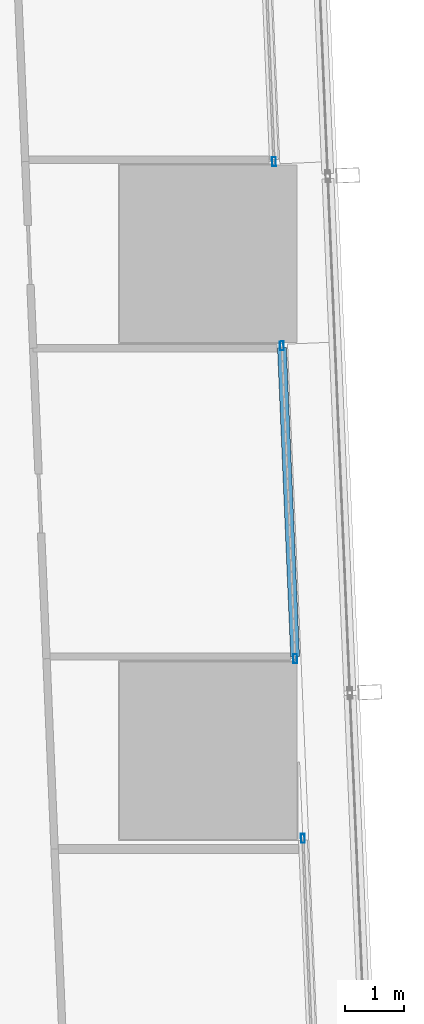
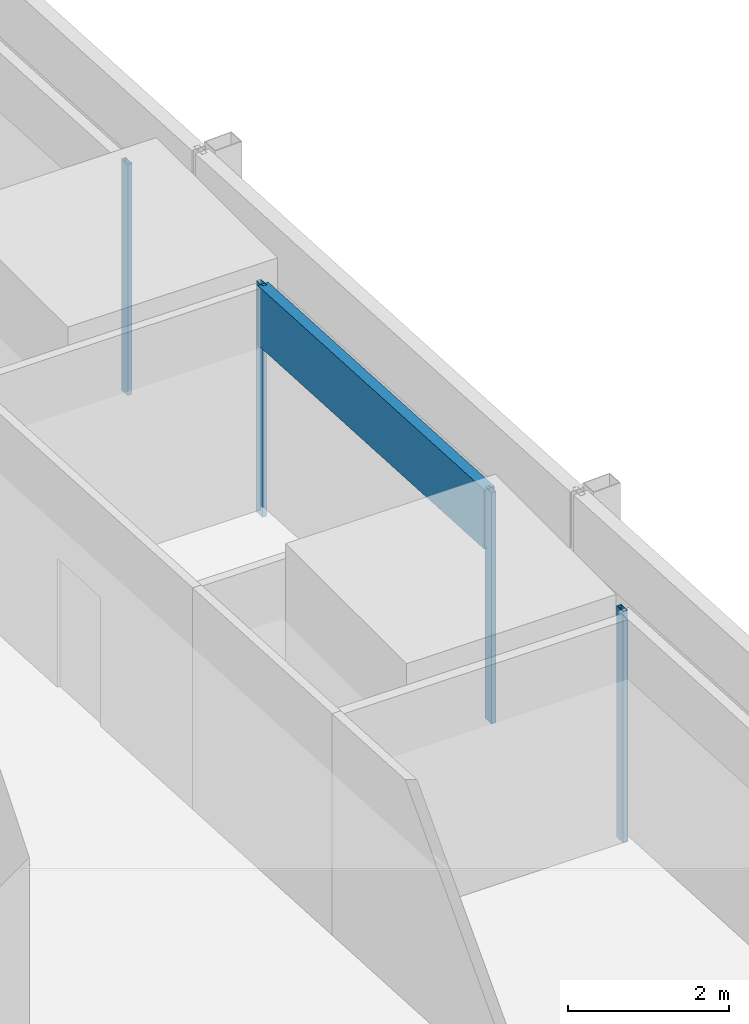
# One storey, part 20 of 45: 5 members, 3 elements without a shape of their own.
"""IFC4 building model written with IfcOpenShell, lengths in metres."""

from ifc_helpers import new_model, si_unit, direction, frame, origin, origin_2d, place, context, subcontext, project, spatial, hollow_rectangle, extrude, material, material_profile, profile_set, type_object, element, aggregate, save


model = new_model("IFC4")

# Units and contexts
model_context = context("Model", 3, precision=1e-05, world=origin(), true_north=direction((0.0, 1.0)))
body_context = subcontext(model_context, "Body", "Model", "MODEL_VIEW")
ifc_project = project(units=[si_unit("LENGTHUNIT", "METRE"), si_unit("AREAUNIT", "SQUARE_METRE"), si_unit("VOLUMEUNIT", "CUBIC_METRE"), si_unit("PLANEANGLEUNIT", "RADIAN"), si_unit("MASSUNIT", "GRAM", prefix="KILO")], contexts=[model_context])

# Site, building, storey
site_placement = place(None, origin())
site = spatial("IfcSite", under=ifc_project, at=site_placement, CompositionType="ELEMENT")
building_placement = place(site_placement, origin())
building = spatial("IfcBuilding", under=site, at=building_placement, Name="Rekha Terrace Tower", CompositionType="ELEMENT")
storey_placement = place(building_placement, frame((0.0, 0.0, 77.89990234375)))
storey = spatial("IfcBuildingStorey", under=building, at=storey_placement, Name="L19", CompositionType="ELEMENT", Elevation=77.89990234375)

# Curtain wall, member
ifc_material_1 = material(Name="Aluminium framing", Category="aluminium")
curtain_wall_type = type_object("IfcCurtainWallType", Name="CW1 double skin inner glazing", PredefinedType="USERDEFINED", material=ifc_material_1)
curtain_wall_1_placement = place(storey_placement, origin())
curtain_wall_1 = element("IfcCurtainWall", 1, at=curtain_wall_1_placement, inside=storey, type_object=curtain_wall_type, Name="CW1 double skin inner glazing", ObjectType="DOUBLE SKIN INNER GLAZING", PredefinedType="USERDEFINED")
ifc_material_2 = material(Name="Aluminium mullion section", Category="aluminium")
ifc_material_profile_1 = material_profile(ifc_material_2, hollow_rectangle(XDim=0.06494140625, YDim=0.14990234375, WallThickness=0.00390625, at=origin_2d()), Name="AL RHS 65x150")
ifc_profile_set_1 = profile_set([ifc_material_profile_1], Name="Aluminium mullion section")
member_type_1 = type_object("IfcMemberType", Name="CW1 mullion RHS 65 x 150", PredefinedType="MULLION", material=ifc_profile_set_1)
member_1_placement = place(storey_placement, frame((68.797119140625, 40.52001953125, 0.0), z_axis=(0.0, 0.0, 1.0), x_axis=(-0.999088106904, -0.042696072921, 0.0)))
member_1 = element("IfcMember", 2, at=member_1_placement, type_object=member_type_1, Name="CW1 mullion 3", PredefinedType="MULLION", context=body_context, shape_type="SweptSolid", body=[
    extrude(hollow_rectangle(XDim=0.06494140625, YDim=0.14990234375, WallThickness=0.00390625, at=origin_2d()), origin(), (0.0, 0.0, 1.0), 3.5),
])
aggregate(curtain_wall_1, [member_1])

# Curtain wall, members
curtain_wall_2_placement = place(storey_placement, origin())
curtain_wall_2 = element("IfcCurtainWall", 3, at=curtain_wall_2_placement, inside=storey, type_object=curtain_wall_type, Name="CW1 double skin inner glazing", ObjectType="DOUBLE SKIN INNER GLAZING", PredefinedType="USERDEFINED")
member_2_placement = place(storey_placement, frame((68.66748046875, 43.556396484375, 0.0), z_axis=(0.0, 0.0, 1.0), x_axis=(-0.999088106898, -0.042696073061, 0.0)))
member_2 = element("IfcMember", 4, at=member_2_placement, type_object=member_type_1, Name="CW1 mullion 1", PredefinedType="MULLION", context=body_context, shape_type="SweptSolid", body=[
    extrude(hollow_rectangle(XDim=0.06494140625, YDim=0.14990234375, WallThickness=0.00390625, at=origin_2d()), origin(), (0.0, 0.0, 1.0), 3.5),
])
member_3_placement = place(storey_placement, frame((68.44140625, 48.843505859375, 0.0), z_axis=(0.0, 0.0, 1.0), x_axis=(-0.999088106898, -0.042696073061, 0.0)))
member_3 = element("IfcMember", 5, at=member_3_placement, type_object=member_type_1, Name="CW1 mullion 2", PredefinedType="MULLION", context=body_context, shape_type="SweptSolid", body=[
    extrude(hollow_rectangle(XDim=0.06494140625, YDim=0.14990234375, WallThickness=0.00390625, at=origin_2d()), origin(), (0.0, 0.0, 1.0), 3.5),
])

# Curtain wall, member
curtain_wall_3_placement = place(storey_placement, origin())
curtain_wall_3 = element("IfcCurtainWall", 6, at=curtain_wall_3_placement, inside=storey, type_object=curtain_wall_type, Name="CW1 double skin inner glazing", ObjectType="DOUBLE SKIN INNER GLAZING", PredefinedType="USERDEFINED")
member_4_placement = place(storey_placement, frame((68.308349609375, 51.95654296875, 0.0), z_axis=(0.0, 0.0, 1.0), x_axis=(-0.999088106898, -0.042696073061, 0.0)))
member_4 = element("IfcMember", 7, at=member_4_placement, type_object=member_type_1, Name="CW1 mullion 1", PredefinedType="MULLION", context=body_context, shape_type="SweptSolid", body=[
    extrude(hollow_rectangle(XDim=0.06494140625, YDim=0.14990234375, WallThickness=0.00390625, at=origin_2d()), origin(), (0.0, 0.0, 1.0), 3.5),
])
aggregate(curtain_wall_3, [member_4])

# Member
ifc_material_3 = material(Name="Insulated aluminium spandrel box", Category="aluminium")
ifc_material_profile_2 = material_profile(ifc_material_3, hollow_rectangle(XDim=0.14990234375, YDim=0.89990234375, WallThickness=0.0029296875, at=origin_2d()), Name="AL SPANDREL BOX 150x900")
ifc_profile_set_2 = profile_set([ifc_material_profile_2], Name="Insulated aluminium spandrel box")
member_type_2 = type_object("IfcMemberType", Name="CW1 spandrel transom 150 x 900", PredefinedType="USERDEFINED", material=ifc_profile_set_2)
member_5_placement = place(storey_placement, frame((68.666015625, 43.5888671875, 3.050048828125), z_axis=(-0.042691291093, 0.999088311244, 0.0), x_axis=(-0.999088311244, -0.042691291093, 0.0)))
member_5 = element("IfcMember", 8, at=member_5_placement, type_object=member_type_2, Name="CW1 spandrel transom 1", ObjectType="TRANSOM", PredefinedType="USERDEFINED", context=body_context, shape_type="SweptSolid", body=[
    extrude(hollow_rectangle(XDim=0.14990234375, YDim=0.89990234375, WallThickness=0.0029296875, at=origin_2d()), origin(), (0.0, 0.0, 1.0), 5.22705078125),
])

aggregate(curtain_wall_2, [member_2, member_3, member_5])

save(model, "model.ifc")
